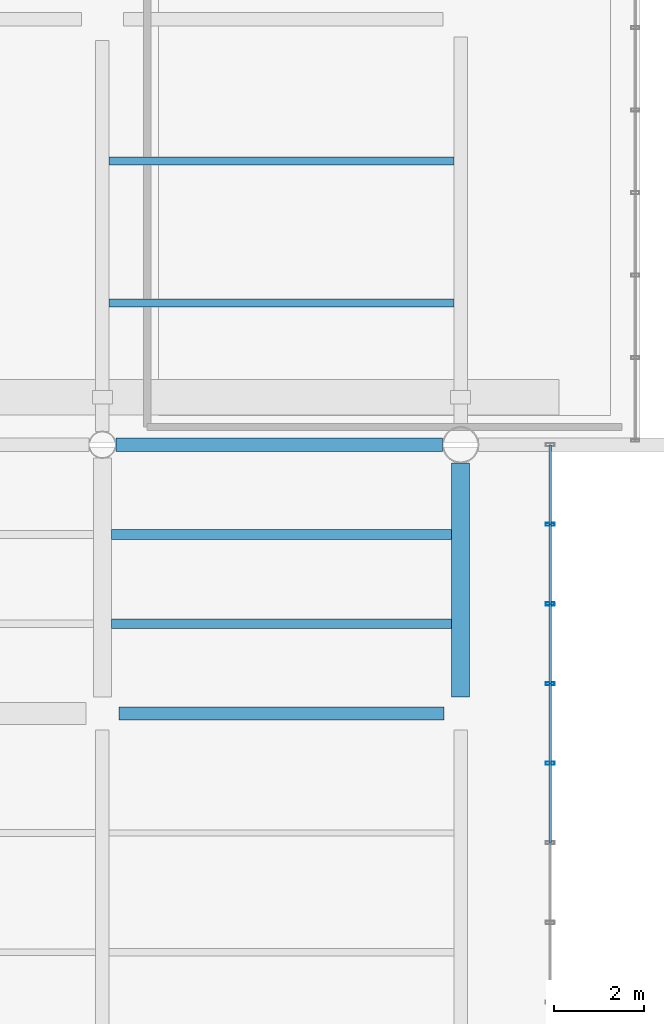
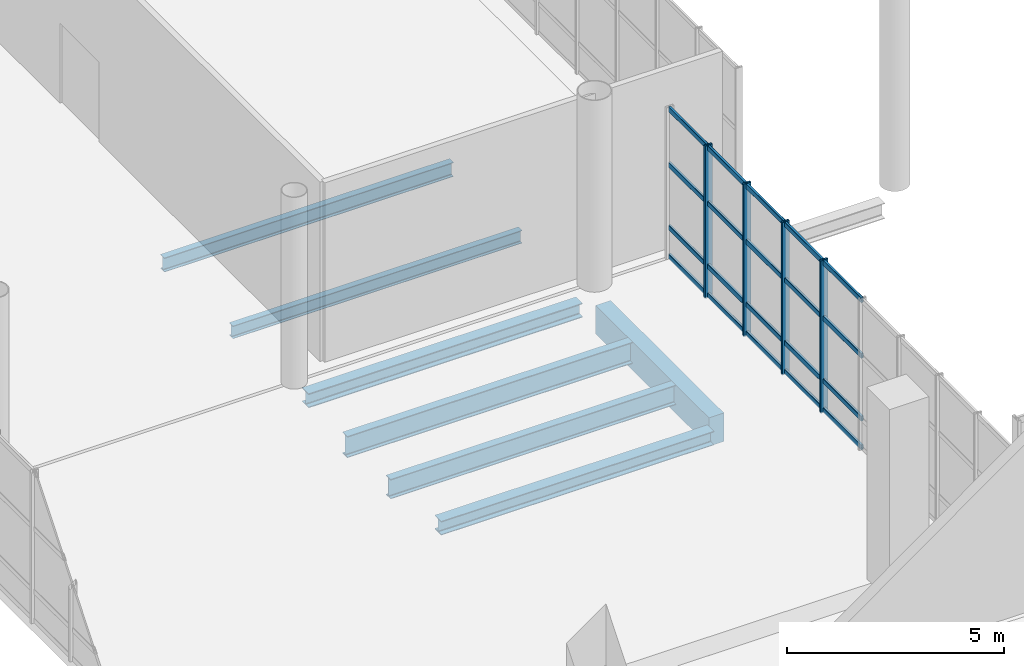
# One storey, part 91 of 176: 24 members, 7 beams, 1 element without a shape of its own.
"""IFC4 building model written with IfcOpenShell, lengths in metres."""

from ifc_helpers import new_model, si_unit, direction, frame, origin, origin_2d, place, context, subcontext, project, spatial, rectangle, hollow_rectangle, i_section, extrude, material, layer, layer_set, material_profile, profile_set, type_object, element, aggregate, save


model = new_model("IFC4")

# Units and contexts
model_context = context("Model", 3, precision=1e-05, world=origin(), true_north=direction((0.0, 1.0)))
body_context = subcontext(model_context, "Body", "Model", "MODEL_VIEW")
ifc_project = project(units=[si_unit("LENGTHUNIT", "METRE"), si_unit("AREAUNIT", "SQUARE_METRE"), si_unit("VOLUMEUNIT", "CUBIC_METRE"), si_unit("PLANEANGLEUNIT", "RADIAN"), si_unit("MASSUNIT", "GRAM", prefix="KILO")], contexts=[model_context])

# Site, building, storey
site_placement = place(None, origin())
site = spatial("IfcSite", under=ifc_project, at=site_placement, CompositionType="ELEMENT")
building_placement = place(site_placement, origin())
building = spatial("IfcBuilding", under=site, at=building_placement, Name="Khorjan Park Terminus", CompositionType="ELEMENT")
storey_placement = place(building_placement, frame((0.0, 0.0, 6.0)))
storey = spatial("IfcBuildingStorey", under=building, at=storey_placement, Name="L01", CompositionType="ELEMENT", Elevation=6.0)

# Beams
ifc_material_1 = material(Name="Steel S355", Category="steel")
ifc_material_profile_1 = material_profile(ifc_material_1, i_section(OverallWidth=0.3, OverallDepth=0.39, WebThickness=0.011, FlangeThickness=0.019, FilletRadius=0.027, at=origin_2d()), Name="HEA 400")
ifc_profile_set_1 = profile_set([ifc_material_profile_1], Name="Steel S355")
beam_type_1 = type_object("IfcBeamType", Name="BM-HEA400", PredefinedType="BEAM", material=ifc_profile_set_1)
beam_1_placement = place(storey_placement, frame((120.37, 96.0, -0.535), z_axis=(1.0, 0.0, 0.0), x_axis=(0.0, 1.0, 0.0)))
element("IfcBeam", 1, at=beam_1_placement, inside=storey, type_object=beam_type_1, Name="Primary floor girder SB-A40 (L01)", PredefinedType="BEAM", context=body_context, shape_type="SweptSolid", body=[
    extrude(i_section(OverallWidth=0.3, OverallDepth=0.39, WebThickness=0.011, FlangeThickness=0.019, FilletRadius=0.027, at=origin_2d()), origin(), (0.0, 0.0, 1.0), 7.26),
])
ifc_material_profile_2 = material_profile(ifc_material_1, i_section(OverallWidth=0.3, OverallDepth=0.4, WebThickness=0.0135, FlangeThickness=0.024, FilletRadius=0.027, at=origin_2d()), Name="HEB 400")
ifc_profile_set_2 = profile_set([ifc_material_profile_2], Name="Steel S355")
beam_type_2 = type_object("IfcBeamType", Name="BM-HEB400", PredefinedType="BEAM", material=ifc_profile_set_2)
beam_2_placement = place(storey_placement, frame((120.3, 102.0, -0.56), z_axis=(1.0, 0.0, 0.0), x_axis=(0.0, 1.0, 0.0)))
element("IfcBeam", 2, at=beam_2_placement, inside=storey, type_object=beam_type_2, Name="Primary floor girder SB-B40 (L01)", PredefinedType="BEAM", context=body_context, shape_type="SweptSolid", body=[
    extrude(i_section(OverallWidth=0.3, OverallDepth=0.4, WebThickness=0.0135, FlangeThickness=0.024, FilletRadius=0.027, at=origin_2d()), origin(), (0.0, 0.0, 1.0), 7.2985),
])
ifc_material_2 = material(Name="Concrete C40/50", Category="concrete")
ifc_material_profile_3 = material_profile(ifc_material_2, rectangle(XDim=0.4, YDim=0.8, at=origin_2d()), Name="RC 400x800")
ifc_profile_set_3 = profile_set([ifc_material_profile_3], Name="Concrete C40/50")
beam_type_3 = type_object("IfcBeamType", Name="BM-RC400x800", PredefinedType="BEAM", material=ifc_profile_set_3)
beam_3_placement = place(storey_placement, frame((128.0, 96.37, -0.74), z_axis=(0.0, 1.0, 0.0), x_axis=(-1.0, 0.0, 0.0)))
element("IfcBeam", 3, at=beam_3_placement, inside=storey, type_object=beam_type_3, Name="Primary floor girder GB-08B (L01)", PredefinedType="BEAM", context=body_context, shape_type="SweptSolid", body=[
    extrude(rectangle(XDim=0.4, YDim=0.8, at=origin_2d()), origin(), (0.0, 0.0, 1.0), 5.2285),
])
ifc_material_profile_4 = material_profile(ifc_material_1, i_section(OverallWidth=0.17, OverallDepth=0.36, WebThickness=0.008, FlangeThickness=0.0127, FilletRadius=0.018, at=origin_2d()), Name="IPE 360")
ifc_profile_set_4 = profile_set([ifc_material_profile_4], Name="Steel S355")
beam_type_4 = type_object("IfcBeamType", Name="JS-IPE360", PredefinedType="JOIST", material=ifc_profile_set_4)
beam_4_placement = place(storey_placement, frame((120.15, 105.1667, -0.54), z_axis=(1.0, 0.0, 0.0), x_axis=(0.0, 1.0, 0.0)))
element("IfcBeam", 4, at=beam_4_placement, inside=storey, type_object=beam_type_4, Name="Secondary composite floor joist SJ-36 (L01)", PredefinedType="JOIST", context=body_context, shape_type="SweptSolid", body=[
    extrude(i_section(OverallWidth=0.17, OverallDepth=0.36, WebThickness=0.008, FlangeThickness=0.0127, FilletRadius=0.018, at=origin_2d()), origin(), (0.0, 0.0, 1.0), 7.7),
])
ifc_material_profile_5 = material_profile(ifc_material_1, i_section(OverallWidth=0.18, OverallDepth=0.4, WebThickness=0.0086, FlangeThickness=0.0135, FilletRadius=0.021, at=origin_2d()), Name="IPE 400")
ifc_profile_set_5 = profile_set([ifc_material_profile_5], Name="Steel S355")
beam_type_5 = type_object("IfcBeamType", Name="JS-IPE400", PredefinedType="JOIST", material=ifc_profile_set_5)
beam_5_placement = place(storey_placement, frame((120.15, 108.3333, -0.56), z_axis=(1.0, 0.0, 0.0), x_axis=(0.0, 1.0, 0.0)))
element("IfcBeam", 5, at=beam_5_placement, inside=storey, type_object=beam_type_5, Name="Secondary composite floor joist SJ-40 (L01)", PredefinedType="JOIST", context=body_context, shape_type="SweptSolid", body=[
    extrude(i_section(OverallWidth=0.18, OverallDepth=0.4, WebThickness=0.0086, FlangeThickness=0.0135, FilletRadius=0.021, at=origin_2d()), origin(), (0.0, 0.0, 1.0), 7.7),
])
ifc_material_profile_6 = material_profile(ifc_material_1, i_section(OverallWidth=0.21, OverallDepth=0.55, WebThickness=0.0111, FlangeThickness=0.0172, FilletRadius=0.024, at=origin_2d()), Name="IPE 550")
ifc_profile_set_6 = profile_set([ifc_material_profile_6], Name="Steel S355")
beam_type_6 = type_object("IfcBeamType", Name="JS-IPE550", PredefinedType="JOIST", material=ifc_profile_set_6)
beam_6_placement = place(storey_placement, frame((120.2, 98.0, -0.615), z_axis=(1.0, 0.0, 0.0), x_axis=(0.0, 1.0, 0.0)))
element("IfcBeam", 6, at=beam_6_placement, inside=storey, type_object=beam_type_6, Name="Secondary composite floor joist SJ-55 (L01)", PredefinedType="JOIST", context=body_context, shape_type="SweptSolid", body=[
    extrude(i_section(OverallWidth=0.21, OverallDepth=0.55, WebThickness=0.0111, FlangeThickness=0.0172, FilletRadius=0.024, at=origin_2d()), origin(), (0.0, 0.0, 1.0), 7.6),
])
ifc_material_profile_7 = material_profile(ifc_material_1, i_section(OverallWidth=0.22, OverallDepth=0.6, WebThickness=0.012, FlangeThickness=0.019, FilletRadius=0.024, at=origin_2d()), Name="IPE 600")
ifc_profile_set_7 = profile_set([ifc_material_profile_7], Name="Steel S355")
beam_type_7 = type_object("IfcBeamType", Name="JS-IPE600", PredefinedType="JOIST", material=ifc_profile_set_7)
beam_7_placement = place(storey_placement, frame((120.2, 100.0, -0.64), z_axis=(1.0, 0.0, 0.0), x_axis=(0.0, 1.0, 0.0)))
element("IfcBeam", 7, at=beam_7_placement, inside=storey, type_object=beam_type_7, Name="Secondary composite floor joist SJ-60 (L01)", PredefinedType="JOIST", context=body_context, shape_type="SweptSolid", body=[
    extrude(i_section(OverallWidth=0.22, OverallDepth=0.6, WebThickness=0.012, FlangeThickness=0.019, FilletRadius=0.024, at=origin_2d()), origin(), (0.0, 0.0, 1.0), 7.6),
])

# Curtain wall, members
ifc_material_3 = material(Name="Anodized Bronze Aluminium", Category="aluminium")
ifc_layer = layer(ifc_material_3, 0.22)
ifc_layer_set = layer_set([ifc_layer], Name="Anodized Bronze Aluminium")
curtain_wall_type = type_object("IfcCurtainWallType", Name="CW-BRG-D", PredefinedType="NOTDEFINED", material=ifc_layer_set)
curtain_wall_placement = place(storey_placement, origin())
curtain_wall = element("IfcCurtainWall", 8, at=curtain_wall_placement, inside=storey, type_object=curtain_wall_type, Name="Unitized curtain wall CW-D (CW-NKE-E-L01)", PredefinedType="NOTDEFINED")
ifc_material_profile_8 = material_profile(ifc_material_3, hollow_rectangle(XDim=0.07, YDim=0.2, WallThickness=0.005, InnerFilletRadius=0.005, OuterFilletRadius=0.01, at=origin_2d()), Name="ALM 70x200x5")
ifc_profile_set_8 = profile_set([ifc_material_profile_8], Name="Anodized Bronze Aluminium")
member_type_1 = type_object("IfcMemberType", Name="ML-ALM-200", PredefinedType="MULLION", material=ifc_profile_set_8)
member_1_placement = place(storey_placement, frame((130.0, 94.8889, -0.035), z_axis=(0.0, 0.0, 1.0), x_axis=(0.0, 1.0, 0.0)))
member_1 = element("IfcMember", 9, at=member_1_placement, type_object=member_type_1, Name="Curtain-wall mullion ML-20 (CW-NKE-E-L01-5)", PredefinedType="MULLION", context=body_context, shape_type="SweptSolid", body=[
    extrude(hollow_rectangle(XDim=0.07, YDim=0.2, WallThickness=0.005, InnerFilletRadius=0.005, OuterFilletRadius=0.01, at=origin_2d()), origin(), (0.0, 0.0, 1.0), 4.295),
])
member_2_placement = place(storey_placement, frame((130.0, 96.6667, -0.035), z_axis=(0.0, 0.0, 1.0), x_axis=(0.0, 1.0, 0.0)))
member_2 = element("IfcMember", 10, at=member_2_placement, type_object=member_type_1, Name="Curtain-wall mullion ML-20 (CW-NKE-E-L01-6)", PredefinedType="MULLION", context=body_context, shape_type="SweptSolid", body=[
    extrude(hollow_rectangle(XDim=0.07, YDim=0.2, WallThickness=0.005, InnerFilletRadius=0.005, OuterFilletRadius=0.01, at=origin_2d()), origin(), (0.0, 0.0, 1.0), 4.295),
])
member_3_placement = place(storey_placement, frame((130.0, 98.4444, -0.035), z_axis=(0.0, 0.0, 1.0), x_axis=(0.0, 1.0, 0.0)))
member_3 = element("IfcMember", 11, at=member_3_placement, type_object=member_type_1, Name="Curtain-wall mullion ML-20 (CW-NKE-E-L01-7)", PredefinedType="MULLION", context=body_context, shape_type="SweptSolid", body=[
    extrude(hollow_rectangle(XDim=0.07, YDim=0.2, WallThickness=0.005, InnerFilletRadius=0.005, OuterFilletRadius=0.01, at=origin_2d()), origin(), (0.0, 0.0, 1.0), 4.295),
])
member_4_placement = place(storey_placement, frame((130.0, 100.2222, -0.035), z_axis=(0.0, 0.0, 1.0), x_axis=(0.0, 1.0, 0.0)))
member_4 = element("IfcMember", 12, at=member_4_placement, type_object=member_type_1, Name="Curtain-wall mullion ML-20 (CW-NKE-E-L01-8)", PredefinedType="MULLION", context=body_context, shape_type="SweptSolid", body=[
    extrude(hollow_rectangle(XDim=0.07, YDim=0.2, WallThickness=0.005, InnerFilletRadius=0.005, OuterFilletRadius=0.01, at=origin_2d()), origin(), (0.0, 0.0, 1.0), 4.295),
])
ifc_material_profile_9 = material_profile(ifc_material_3, hollow_rectangle(XDim=0.065, YDim=0.14, WallThickness=0.004, InnerFilletRadius=0.004, OuterFilletRadius=0.008, at=origin_2d()), Name="ALT 65x140x4")
ifc_profile_set_9 = profile_set([ifc_material_profile_9], Name="Anodized Bronze Aluminium")
member_type_2 = type_object("IfcMemberType", Name="TR-ALT-140", PredefinedType="USERDEFINED", material=ifc_profile_set_9)
member_5_placement = place(storey_placement, frame((130.0, 93.1111, 0.04), z_axis=(0.0, 1.0, 0.0), x_axis=(-1.0, 0.0, 0.0)))
member_5 = element("IfcMember", 13, at=member_5_placement, type_object=member_type_2, Name="Curtain-wall transom TR-14 (CW-NKE-E-L01-4-1)", ObjectType="TRANSOM", PredefinedType="USERDEFINED", context=body_context, shape_type="SweptSolid", body=[
    extrude(hollow_rectangle(XDim=0.065, YDim=0.14, WallThickness=0.004, InnerFilletRadius=0.004, OuterFilletRadius=0.008, at=origin_2d()), origin(), (0.0, 0.0, 1.0), 1.7778),
])
member_6_placement = place(storey_placement, frame((130.0, 93.1111, 0.85), z_axis=(0.0, 1.0, 0.0), x_axis=(-1.0, 0.0, 0.0)))
member_6 = element("IfcMember", 14, at=member_6_placement, type_object=member_type_2, Name="Curtain-wall transom TR-14 (CW-NKE-E-L01-4-2)", ObjectType="TRANSOM", PredefinedType="USERDEFINED", context=body_context, shape_type="SweptSolid", body=[
    extrude(hollow_rectangle(XDim=0.065, YDim=0.14, WallThickness=0.004, InnerFilletRadius=0.004, OuterFilletRadius=0.008, at=origin_2d()), origin(), (0.0, 0.0, 1.0), 1.7778),
])
member_7_placement = place(storey_placement, frame((130.0, 93.1111, 2.6195), z_axis=(0.0, 1.0, 0.0), x_axis=(-1.0, 0.0, 0.0)))
member_7 = element("IfcMember", 15, at=member_7_placement, type_object=member_type_2, Name="Curtain-wall transom TR-14 (CW-NKE-E-L01-4-3)", ObjectType="TRANSOM", PredefinedType="USERDEFINED", context=body_context, shape_type="SweptSolid", body=[
    extrude(hollow_rectangle(XDim=0.065, YDim=0.14, WallThickness=0.004, InnerFilletRadius=0.004, OuterFilletRadius=0.008, at=origin_2d()), origin(), (0.0, 0.0, 1.0), 1.7778),
])
member_8_placement = place(storey_placement, frame((130.0, 93.1111, 4.185), z_axis=(0.0, 1.0, 0.0), x_axis=(-1.0, 0.0, 0.0)))
member_8 = element("IfcMember", 16, at=member_8_placement, type_object=member_type_2, Name="Curtain-wall transom TR-14 (CW-NKE-E-L01-4-4)", ObjectType="TRANSOM", PredefinedType="USERDEFINED", context=body_context, shape_type="SweptSolid", body=[
    extrude(hollow_rectangle(XDim=0.065, YDim=0.14, WallThickness=0.004, InnerFilletRadius=0.004, OuterFilletRadius=0.008, at=origin_2d()), origin(), (0.0, 0.0, 1.0), 1.7778),
])
member_9_placement = place(storey_placement, frame((130.0, 94.8889, 0.04), z_axis=(0.0, 1.0, 0.0), x_axis=(-1.0, 0.0, 0.0)))
member_9 = element("IfcMember", 17, at=member_9_placement, type_object=member_type_2, Name="Curtain-wall transom TR-14 (CW-NKE-E-L01-5-1)", ObjectType="TRANSOM", PredefinedType="USERDEFINED", context=body_context, shape_type="SweptSolid", body=[
    extrude(hollow_rectangle(XDim=0.065, YDim=0.14, WallThickness=0.004, InnerFilletRadius=0.004, OuterFilletRadius=0.008, at=origin_2d()), origin(), (0.0, 0.0, 1.0), 1.7778),
])
member_10_placement = place(storey_placement, frame((130.0, 94.8889, 0.85), z_axis=(0.0, 1.0, 0.0), x_axis=(-1.0, 0.0, 0.0)))
member_10 = element("IfcMember", 18, at=member_10_placement, type_object=member_type_2, Name="Curtain-wall transom TR-14 (CW-NKE-E-L01-5-2)", ObjectType="TRANSOM", PredefinedType="USERDEFINED", context=body_context, shape_type="SweptSolid", body=[
    extrude(hollow_rectangle(XDim=0.065, YDim=0.14, WallThickness=0.004, InnerFilletRadius=0.004, OuterFilletRadius=0.008, at=origin_2d()), origin(), (0.0, 0.0, 1.0), 1.7778),
])
member_11_placement = place(storey_placement, frame((130.0, 94.8889, 2.6195), z_axis=(0.0, 1.0, 0.0), x_axis=(-1.0, 0.0, 0.0)))
member_11 = element("IfcMember", 19, at=member_11_placement, type_object=member_type_2, Name="Curtain-wall transom TR-14 (CW-NKE-E-L01-5-3)", ObjectType="TRANSOM", PredefinedType="USERDEFINED", context=body_context, shape_type="SweptSolid", body=[
    extrude(hollow_rectangle(XDim=0.065, YDim=0.14, WallThickness=0.004, InnerFilletRadius=0.004, OuterFilletRadius=0.008, at=origin_2d()), origin(), (0.0, 0.0, 1.0), 1.7778),
])
member_12_placement = place(storey_placement, frame((130.0, 94.8889, 4.185), z_axis=(0.0, 1.0, 0.0), x_axis=(-1.0, 0.0, 0.0)))
member_12 = element("IfcMember", 20, at=member_12_placement, type_object=member_type_2, Name="Curtain-wall transom TR-14 (CW-NKE-E-L01-5-4)", ObjectType="TRANSOM", PredefinedType="USERDEFINED", context=body_context, shape_type="SweptSolid", body=[
    extrude(hollow_rectangle(XDim=0.065, YDim=0.14, WallThickness=0.004, InnerFilletRadius=0.004, OuterFilletRadius=0.008, at=origin_2d()), origin(), (0.0, 0.0, 1.0), 1.7778),
])
member_13_placement = place(storey_placement, frame((130.0, 96.6667, 0.04), z_axis=(0.0, 1.0, 0.0), x_axis=(-1.0, 0.0, 0.0)))
member_13 = element("IfcMember", 21, at=member_13_placement, type_object=member_type_2, Name="Curtain-wall transom TR-14 (CW-NKE-E-L01-6-1)", ObjectType="TRANSOM", PredefinedType="USERDEFINED", context=body_context, shape_type="SweptSolid", body=[
    extrude(hollow_rectangle(XDim=0.065, YDim=0.14, WallThickness=0.004, InnerFilletRadius=0.004, OuterFilletRadius=0.008, at=origin_2d()), origin(), (0.0, 0.0, 1.0), 1.7777),
])
member_14_placement = place(storey_placement, frame((130.0, 96.6667, 0.85), z_axis=(0.0, 1.0, 0.0), x_axis=(-1.0, 0.0, 0.0)))
member_14 = element("IfcMember", 22, at=member_14_placement, type_object=member_type_2, Name="Curtain-wall transom TR-14 (CW-NKE-E-L01-6-2)", ObjectType="TRANSOM", PredefinedType="USERDEFINED", context=body_context, shape_type="SweptSolid", body=[
    extrude(hollow_rectangle(XDim=0.065, YDim=0.14, WallThickness=0.004, InnerFilletRadius=0.004, OuterFilletRadius=0.008, at=origin_2d()), origin(), (0.0, 0.0, 1.0), 1.7777),
])
member_15_placement = place(storey_placement, frame((130.0, 96.6667, 2.6195), z_axis=(0.0, 1.0, 0.0), x_axis=(-1.0, 0.0, 0.0)))
member_15 = element("IfcMember", 23, at=member_15_placement, type_object=member_type_2, Name="Curtain-wall transom TR-14 (CW-NKE-E-L01-6-3)", ObjectType="TRANSOM", PredefinedType="USERDEFINED", context=body_context, shape_type="SweptSolid", body=[
    extrude(hollow_rectangle(XDim=0.065, YDim=0.14, WallThickness=0.004, InnerFilletRadius=0.004, OuterFilletRadius=0.008, at=origin_2d()), origin(), (0.0, 0.0, 1.0), 1.7777),
])
member_16_placement = place(storey_placement, frame((130.0, 96.6667, 4.185), z_axis=(0.0, 1.0, 0.0), x_axis=(-1.0, 0.0, 0.0)))
member_16 = element("IfcMember", 24, at=member_16_placement, type_object=member_type_2, Name="Curtain-wall transom TR-14 (CW-NKE-E-L01-6-4)", ObjectType="TRANSOM", PredefinedType="USERDEFINED", context=body_context, shape_type="SweptSolid", body=[
    extrude(hollow_rectangle(XDim=0.065, YDim=0.14, WallThickness=0.004, InnerFilletRadius=0.004, OuterFilletRadius=0.008, at=origin_2d()), origin(), (0.0, 0.0, 1.0), 1.7777),
])
member_17_placement = place(storey_placement, frame((130.0, 98.4444, 0.04), z_axis=(0.0, 1.0, 0.0), x_axis=(-1.0, 0.0, 0.0)))
member_17 = element("IfcMember", 25, at=member_17_placement, type_object=member_type_2, Name="Curtain-wall transom TR-14 (CW-NKE-E-L01-7-1)", ObjectType="TRANSOM", PredefinedType="USERDEFINED", context=body_context, shape_type="SweptSolid", body=[
    extrude(hollow_rectangle(XDim=0.065, YDim=0.14, WallThickness=0.004, InnerFilletRadius=0.004, OuterFilletRadius=0.008, at=origin_2d()), origin(), (0.0, 0.0, 1.0), 1.7778),
])
member_18_placement = place(storey_placement, frame((130.0, 98.4444, 0.85), z_axis=(0.0, 1.0, 0.0), x_axis=(-1.0, 0.0, 0.0)))
member_18 = element("IfcMember", 26, at=member_18_placement, type_object=member_type_2, Name="Curtain-wall transom TR-14 (CW-NKE-E-L01-7-2)", ObjectType="TRANSOM", PredefinedType="USERDEFINED", context=body_context, shape_type="SweptSolid", body=[
    extrude(hollow_rectangle(XDim=0.065, YDim=0.14, WallThickness=0.004, InnerFilletRadius=0.004, OuterFilletRadius=0.008, at=origin_2d()), origin(), (0.0, 0.0, 1.0), 1.7778),
])
member_19_placement = place(storey_placement, frame((130.0, 98.4444, 2.6195), z_axis=(0.0, 1.0, 0.0), x_axis=(-1.0, 0.0, 0.0)))
member_19 = element("IfcMember", 27, at=member_19_placement, type_object=member_type_2, Name="Curtain-wall transom TR-14 (CW-NKE-E-L01-7-3)", ObjectType="TRANSOM", PredefinedType="USERDEFINED", context=body_context, shape_type="SweptSolid", body=[
    extrude(hollow_rectangle(XDim=0.065, YDim=0.14, WallThickness=0.004, InnerFilletRadius=0.004, OuterFilletRadius=0.008, at=origin_2d()), origin(), (0.0, 0.0, 1.0), 1.7778),
])
member_20_placement = place(storey_placement, frame((130.0, 98.4444, 4.185), z_axis=(0.0, 1.0, 0.0), x_axis=(-1.0, 0.0, 0.0)))
member_20 = element("IfcMember", 28, at=member_20_placement, type_object=member_type_2, Name="Curtain-wall transom TR-14 (CW-NKE-E-L01-7-4)", ObjectType="TRANSOM", PredefinedType="USERDEFINED", context=body_context, shape_type="SweptSolid", body=[
    extrude(hollow_rectangle(XDim=0.065, YDim=0.14, WallThickness=0.004, InnerFilletRadius=0.004, OuterFilletRadius=0.008, at=origin_2d()), origin(), (0.0, 0.0, 1.0), 1.7778),
])
member_21_placement = place(storey_placement, frame((130.0, 100.2222, 0.04), z_axis=(0.0, 1.0, 0.0), x_axis=(-1.0, 0.0, 0.0)))
member_21 = element("IfcMember", 29, at=member_21_placement, type_object=member_type_2, Name="Curtain-wall transom TR-14 (CW-NKE-E-L01-8-1)", ObjectType="TRANSOM", PredefinedType="USERDEFINED", context=body_context, shape_type="SweptSolid", body=[
    extrude(hollow_rectangle(XDim=0.065, YDim=0.14, WallThickness=0.004, InnerFilletRadius=0.004, OuterFilletRadius=0.008, at=origin_2d()), origin(), (0.0, 0.0, 1.0), 1.7778),
])
member_22_placement = place(storey_placement, frame((130.0, 100.2222, 0.85), z_axis=(0.0, 1.0, 0.0), x_axis=(-1.0, 0.0, 0.0)))
member_22 = element("IfcMember", 30, at=member_22_placement, type_object=member_type_2, Name="Curtain-wall transom TR-14 (CW-NKE-E-L01-8-2)", ObjectType="TRANSOM", PredefinedType="USERDEFINED", context=body_context, shape_type="SweptSolid", body=[
    extrude(hollow_rectangle(XDim=0.065, YDim=0.14, WallThickness=0.004, InnerFilletRadius=0.004, OuterFilletRadius=0.008, at=origin_2d()), origin(), (0.0, 0.0, 1.0), 1.7778),
])
member_23_placement = place(storey_placement, frame((130.0, 100.2222, 2.6195), z_axis=(0.0, 1.0, 0.0), x_axis=(-1.0, 0.0, 0.0)))
member_23 = element("IfcMember", 31, at=member_23_placement, type_object=member_type_2, Name="Curtain-wall transom TR-14 (CW-NKE-E-L01-8-3)", ObjectType="TRANSOM", PredefinedType="USERDEFINED", context=body_context, shape_type="SweptSolid", body=[
    extrude(hollow_rectangle(XDim=0.065, YDim=0.14, WallThickness=0.004, InnerFilletRadius=0.004, OuterFilletRadius=0.008, at=origin_2d()), origin(), (0.0, 0.0, 1.0), 1.7778),
])
member_24_placement = place(storey_placement, frame((130.0, 100.2222, 4.185), z_axis=(0.0, 1.0, 0.0), x_axis=(-1.0, 0.0, 0.0)))
member_24 = element("IfcMember", 32, at=member_24_placement, type_object=member_type_2, Name="Curtain-wall transom TR-14 (CW-NKE-E-L01-8-4)", ObjectType="TRANSOM", PredefinedType="USERDEFINED", context=body_context, shape_type="SweptSolid", body=[
    extrude(hollow_rectangle(XDim=0.065, YDim=0.14, WallThickness=0.004, InnerFilletRadius=0.004, OuterFilletRadius=0.008, at=origin_2d()), origin(), (0.0, 0.0, 1.0), 1.7778),
])
aggregate(curtain_wall, [member_1, member_2, member_3, member_4, member_5, member_6, member_7, member_8, member_9, member_10, member_11, member_12, member_13, member_14, member_15, member_16, member_17, member_18, member_19, member_20, member_21, member_22, member_23, member_24])

save(model, "model.ifc")
